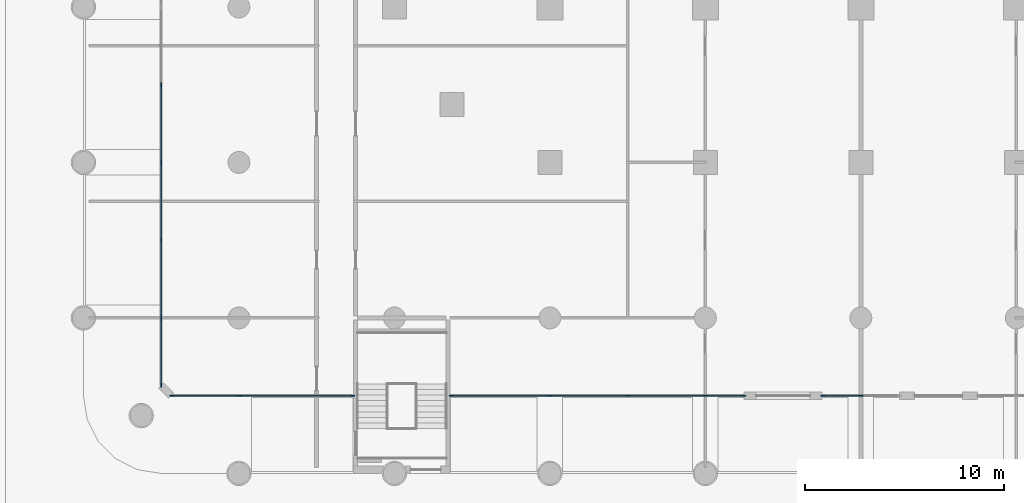
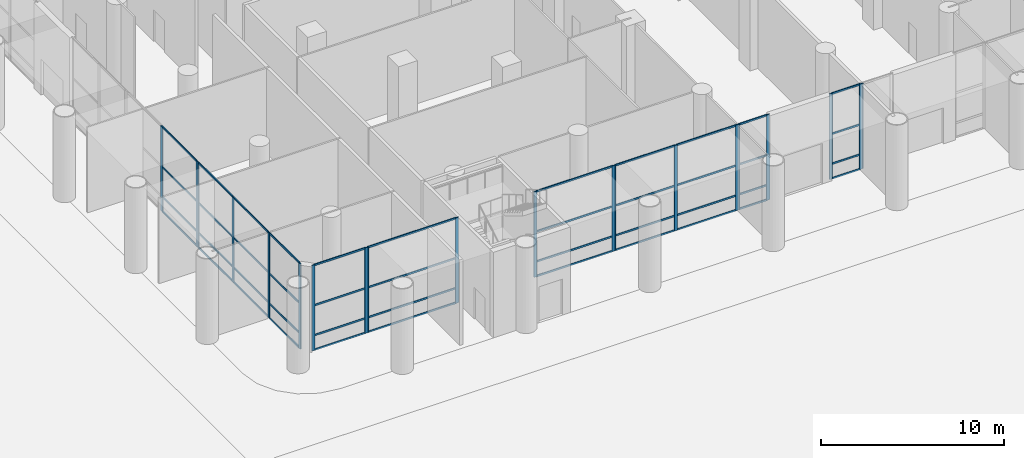
# One storey, part 2 of 32: 65 members, 10 elements without a shape of their own.
"""IFC4 building model written with IfcOpenShell, lengths in metres."""

from ifc_helpers import new_model, si_unit, direction, frame, origin, origin_2d, place, context, subcontext, project, spatial, rectangle, extrude, material, material_profile, profile_set, type_object, element, aggregate, save


model = new_model("IFC4")

# Units and contexts
model_context = context("Model", 3, precision=1e-05, world=origin(), true_north=direction((0.0, 1.0)))
body_context = subcontext(model_context, "Body", "Model", "MODEL_VIEW")
ifc_project = project(units=[si_unit("LENGTHUNIT", "METRE"), si_unit("AREAUNIT", "SQUARE_METRE"), si_unit("VOLUMEUNIT", "CUBIC_METRE"), si_unit("PLANEANGLEUNIT", "RADIAN"), si_unit("MASSUNIT", "GRAM", prefix="KILO")], contexts=[model_context])

# Site, building, storey
site_placement = place(None, origin())
site = spatial("IfcSite", under=ifc_project, at=site_placement, CompositionType="ELEMENT")
building_placement = place(site_placement, origin())
building = spatial("IfcBuilding", under=site, at=building_placement, Name="Ludao Terraces", CompositionType="ELEMENT")
storey_placement = place(building_placement, origin())
storey = spatial("IfcBuildingStorey", under=building, at=storey_placement, Name="L00", CompositionType="ELEMENT", Elevation=0.0)

# Curtain wall, members
ifc_material_1 = material(Name="Aluminium curtain wall with fritted glass", Category="aluminium")
curtain_wall_type = type_object("IfcCurtainWallType", Name="ENV CW2 entrance glazing", PredefinedType="NOTDEFINED", material=ifc_material_1)
curtain_wall_1_placement = place(storey_placement, origin())
curtain_wall_1 = element("IfcCurtainWall", 1, at=curtain_wall_1_placement, inside=storey, type_object=curtain_wall_type, Name="CW-L00-S1", PredefinedType="NOTDEFINED")
ifc_material_2 = material(Name="Aluminium 6063-T6", Category="aluminium")
ifc_material_profile_1 = material_profile(ifc_material_2, rectangle(XDim=0.06005859375, YDim=0.199951171875, at=origin_2d()), Name="60 X 200")
ifc_profile_set_1 = profile_set([ifc_material_profile_1], Name="Aluminium 6063-T6")
member_type_1 = type_object("IfcMemberType", Name="ENV CW2 mullion 60x200", PredefinedType="MULLION", material=ifc_profile_set_1)
member_1_placement = place(storey_placement, frame((50.429931640625, 29.89990234375, 0.0), z_axis=(0.0, 0.0, 1.0), x_axis=(0.0, 1.0, 0.0)))
member_1 = element("IfcMember", 2, at=member_1_placement, type_object=member_type_1, Name="CW2 mullion 1", PredefinedType="MULLION", context=body_context, shape_type="SweptSolid", body=[
    extrude(rectangle(XDim=0.06005859375, YDim=0.199951171875, at=origin_2d()), origin(), (0.0, 0.0, 1.0), 5.699951171875),
])
member_2_placement = place(storey_placement, frame((53.77001953125, 29.89990234375, 0.0), z_axis=(0.0, 0.0, 1.0), x_axis=(0.0, 1.0, 0.0)))
member_2 = element("IfcMember", 3, at=member_2_placement, type_object=member_type_1, Name="CW2 mullion 2", PredefinedType="MULLION", context=body_context, shape_type="SweptSolid", body=[
    extrude(rectangle(XDim=0.06005859375, YDim=0.199951171875, at=origin_2d()), origin(), (0.0, 0.0, 1.0), 5.699951171875),
])

curtain_wall_2_placement = place(storey_placement, origin())
curtain_wall_2 = element("IfcCurtainWall", 4, at=curtain_wall_2_placement, inside=storey, type_object=curtain_wall_type, Name="CW-L00-S2", PredefinedType="NOTDEFINED")
member_3_placement = place(storey_placement, frame((53.830078125, 29.89990234375, 0.0), z_axis=(0.0, 0.0, 1.0), x_axis=(0.0, 1.0, 0.0)))
member_3 = element("IfcMember", 5, at=member_3_placement, type_object=member_type_1, Name="CW2 mullion 1", PredefinedType="MULLION", context=body_context, shape_type="SweptSolid", body=[
    extrude(rectangle(XDim=0.06005859375, YDim=0.199951171875, at=origin_2d()), origin(), (0.0, 0.0, 1.0), 5.699951171875),
])
member_4_placement = place(storey_placement, frame((59.5, 29.89990234375, 0.0), z_axis=(0.0, 0.0, 1.0), x_axis=(0.0, 1.0, 0.0)))
member_4 = element("IfcMember", 6, at=member_4_placement, type_object=member_type_1, Name="CW2 mullion 2", PredefinedType="MULLION", context=body_context, shape_type="SweptSolid", body=[
    extrude(rectangle(XDim=0.06005859375, YDim=0.199951171875, at=origin_2d()), origin(), (0.0, 0.0, 1.0), 5.699951171875),
])

curtain_wall_3_placement = place(storey_placement, origin())
curtain_wall_3 = element("IfcCurtainWall", 7, at=curtain_wall_3_placement, inside=storey, type_object=curtain_wall_type, Name="CW-L00-S3", PredefinedType="NOTDEFINED")
member_5_placement = place(storey_placement, frame((64.449951171875, 29.89990234375, 0.0), z_axis=(0.0, 0.0, 1.0), x_axis=(0.0, 1.0, 0.0)))
member_5 = element("IfcMember", 8, at=member_5_placement, type_object=member_type_1, Name="CW2 mullion 1", PredefinedType="MULLION", context=body_context, shape_type="SweptSolid", body=[
    extrude(rectangle(XDim=0.06005859375, YDim=0.199951171875, at=origin_2d()), origin(), (0.0, 0.0, 1.0), 5.699951171875),
])
member_6_placement = place(storey_placement, frame((69.3701171875, 29.89990234375, 0.0), z_axis=(0.0, 0.0, 1.0), x_axis=(0.0, 1.0, 0.0)))
member_6 = element("IfcMember", 9, at=member_6_placement, type_object=member_type_1, Name="CW2 mullion 2", PredefinedType="MULLION", context=body_context, shape_type="SweptSolid", body=[
    extrude(rectangle(XDim=0.06005859375, YDim=0.199951171875, at=origin_2d()), origin(), (0.0, 0.0, 1.0), 5.699951171875),
])

curtain_wall_4_placement = place(storey_placement, origin())
curtain_wall_4 = element("IfcCurtainWall", 10, at=curtain_wall_4_placement, inside=storey, type_object=curtain_wall_type, Name="CW-L00-S4", PredefinedType="NOTDEFINED")
member_7_placement = place(storey_placement, frame((69.429931640625, 29.89990234375, 0.0), z_axis=(0.0, 0.0, 1.0), x_axis=(0.0, 1.0, 0.0)))
member_7 = element("IfcMember", 11, at=member_7_placement, type_object=member_type_1, Name="CW2 mullion 1", PredefinedType="MULLION", context=body_context, shape_type="SweptSolid", body=[
    extrude(rectangle(XDim=0.06005859375, YDim=0.199951171875, at=origin_2d()), origin(), (0.0, 0.0, 1.0), 5.699951171875),
])
member_8_placement = place(storey_placement, frame((73.300048828125, 29.89990234375, 0.0), z_axis=(0.0, 0.0, 1.0), x_axis=(0.0, 1.0, 0.0)))
member_8 = element("IfcMember", 12, at=member_8_placement, type_object=member_type_1, Name="CW2 mullion 2", PredefinedType="MULLION", context=body_context, shape_type="SweptSolid", body=[
    extrude(rectangle(XDim=0.06005859375, YDim=0.199951171875, at=origin_2d()), origin(), (0.0, 0.0, 1.0), 5.699951171875),
])
member_9_placement = place(storey_placement, frame((77.169921875, 29.89990234375, 0.0), z_axis=(0.0, 0.0, 1.0), x_axis=(0.0, 1.0, 0.0)))
member_9 = element("IfcMember", 13, at=member_9_placement, type_object=member_type_1, Name="CW2 mullion 3", PredefinedType="MULLION", context=body_context, shape_type="SweptSolid", body=[
    extrude(rectangle(XDim=0.06005859375, YDim=0.199951171875, at=origin_2d()), origin(), (0.0, 0.0, 1.0), 5.699951171875),
])

curtain_wall_5_placement = place(storey_placement, origin())
curtain_wall_5 = element("IfcCurtainWall", 14, at=curtain_wall_5_placement, inside=storey, type_object=curtain_wall_type, Name="CW-L00-S5", PredefinedType="NOTDEFINED")
member_10_placement = place(storey_placement, frame((77.22998046875, 29.89990234375, 0.0), z_axis=(0.0, 0.0, 1.0), x_axis=(0.0, 1.0, 0.0)))
member_10 = element("IfcMember", 15, at=member_10_placement, type_object=member_type_1, Name="CW2 mullion 1", PredefinedType="MULLION", context=body_context, shape_type="SweptSolid", body=[
    extrude(rectangle(XDim=0.06005859375, YDim=0.199951171875, at=origin_2d()), origin(), (0.0, 0.0, 1.0), 5.699951171875),
])
member_11_placement = place(storey_placement, frame((79.1201171875, 29.89990234375, 0.0), z_axis=(0.0, 0.0, 1.0), x_axis=(0.0, 1.0, 0.0)))
member_11 = element("IfcMember", 16, at=member_11_placement, type_object=member_type_1, Name="CW2 mullion 2", PredefinedType="MULLION", context=body_context, shape_type="SweptSolid", body=[
    extrude(rectangle(XDim=0.06005859375, YDim=0.199951171875, at=origin_2d()), origin(), (0.0, 0.0, 1.0), 5.699951171875),
])

curtain_wall_6_placement = place(storey_placement, origin())
curtain_wall_6 = element("IfcCurtainWall", 17, at=curtain_wall_6_placement, inside=storey, type_object=curtain_wall_type, Name="CW-L00-S7", PredefinedType="NOTDEFINED")
member_12_placement = place(storey_placement, frame((83.080078125, 29.89990234375, 0.0), z_axis=(0.0, 0.0, 1.0), x_axis=(0.0, 1.0, 0.0)))
member_12 = element("IfcMember", 18, at=member_12_placement, type_object=member_type_1, Name="CW2 mullion 1", PredefinedType="MULLION", context=body_context, shape_type="SweptSolid", body=[
    extrude(rectangle(XDim=0.06005859375, YDim=0.199951171875, at=origin_2d()), origin(), (0.0, 0.0, 1.0), 5.699951171875),
])
member_13_placement = place(storey_placement, frame((84.969970703125, 29.89990234375, 0.0), z_axis=(0.0, 0.0, 1.0), x_axis=(0.0, 1.0, 0.0)))
member_13 = element("IfcMember", 19, at=member_13_placement, type_object=member_type_1, Name="CW2 mullion 2", PredefinedType="MULLION", context=body_context, shape_type="SweptSolid", body=[
    extrude(rectangle(XDim=0.06005859375, YDim=0.199951171875, at=origin_2d()), origin(), (0.0, 0.0, 1.0), 5.699951171875),
])

# Curtain wall, member
curtain_wall_7_placement = place(storey_placement, origin())
curtain_wall_7 = element("IfcCurtainWall", 20, at=curtain_wall_7_placement, inside=storey, type_object=curtain_wall_type, Name="CW-L00-S8", PredefinedType="NOTDEFINED")
member_14_placement = place(storey_placement, frame((85.030029296875, 29.89990234375, 0.0), z_axis=(0.0, 0.0, 1.0), x_axis=(0.0, 1.0, 0.0)))
member_14 = element("IfcMember", 21, at=member_14_placement, type_object=member_type_1, Name="CW2 mullion 1", PredefinedType="MULLION", context=body_context, shape_type="SweptSolid", body=[
    extrude(rectangle(XDim=0.06005859375, YDim=0.199951171875, at=origin_2d()), origin(), (0.0, 0.0, 1.0), 5.699951171875),
])
aggregate(curtain_wall_7, [member_14])

# Curtain wall, members
curtain_wall_8_placement = place(storey_placement, origin())
curtain_wall_8 = element("IfcCurtainWall", 22, at=curtain_wall_8_placement, inside=storey, type_object=curtain_wall_type, Name="CW-L00-W1", PredefinedType="NOTDEFINED")
member_15_placement = place(storey_placement, frame((49.89990234375, 30.429931640625, 0.0), z_axis=(0.0, 0.0, 1.0), x_axis=(-1.0, 0.0, 0.0)))
member_15 = element("IfcMember", 23, at=member_15_placement, type_object=member_type_1, Name="CW2 mullion 1", PredefinedType="MULLION", context=body_context, shape_type="SweptSolid", body=[
    extrude(rectangle(XDim=0.06005859375, YDim=0.199951171875, at=origin_2d()), origin(), (0.0, 0.0, 1.0), 5.699951171875),
])
member_16_placement = place(storey_placement, frame((49.89990234375, 33.77001953125, 0.0), z_axis=(0.0, 0.0, 1.0), x_axis=(-1.0, 0.0, 0.0)))
member_16 = element("IfcMember", 24, at=member_16_placement, type_object=member_type_1, Name="CW2 mullion 2", PredefinedType="MULLION", context=body_context, shape_type="SweptSolid", body=[
    extrude(rectangle(XDim=0.06005859375, YDim=0.199951171875, at=origin_2d()), origin(), (0.0, 0.0, 1.0), 5.699951171875),
])

curtain_wall_9_placement = place(storey_placement, origin())
curtain_wall_9 = element("IfcCurtainWall", 25, at=curtain_wall_9_placement, inside=storey, type_object=curtain_wall_type, Name="CW-L00-W2", PredefinedType="NOTDEFINED")
member_17_placement = place(storey_placement, frame((49.89990234375, 33.830078125, 0.0), z_axis=(0.0, 0.0, 1.0), x_axis=(-1.0, 0.0, 0.0)))
member_17 = element("IfcMember", 26, at=member_17_placement, type_object=member_type_1, Name="CW2 mullion 1", PredefinedType="MULLION", context=body_context, shape_type="SweptSolid", body=[
    extrude(rectangle(XDim=0.06005859375, YDim=0.199951171875, at=origin_2d()), origin(), (0.0, 0.0, 1.0), 5.699951171875),
])
member_18_placement = place(storey_placement, frame((49.89990234375, 37.699951171875, 0.0), z_axis=(0.0, 0.0, 1.0), x_axis=(-1.0, 0.0, 0.0)))
member_18 = element("IfcMember", 27, at=member_18_placement, type_object=member_type_1, Name="CW2 mullion 2", PredefinedType="MULLION", context=body_context, shape_type="SweptSolid", body=[
    extrude(rectangle(XDim=0.06005859375, YDim=0.199951171875, at=origin_2d()), origin(), (0.0, 0.0, 1.0), 5.699951171875),
])
member_19_placement = place(storey_placement, frame((49.89990234375, 41.570068359375, 0.0), z_axis=(0.0, 0.0, 1.0), x_axis=(-1.0, 0.0, 0.0)))
member_19 = element("IfcMember", 28, at=member_19_placement, type_object=member_type_1, Name="CW2 mullion 3", PredefinedType="MULLION", context=body_context, shape_type="SweptSolid", body=[
    extrude(rectangle(XDim=0.06005859375, YDim=0.199951171875, at=origin_2d()), origin(), (0.0, 0.0, 1.0), 5.699951171875),
])

curtain_wall_10_placement = place(storey_placement, origin())
curtain_wall_10 = element("IfcCurtainWall", 29, at=curtain_wall_10_placement, inside=storey, type_object=curtain_wall_type, Name="CW-L00-W3", PredefinedType="NOTDEFINED")
member_20_placement = place(storey_placement, frame((49.89990234375, 41.6298828125, 0.0), z_axis=(0.0, 0.0, 1.0), x_axis=(-1.0, 0.0, 0.0)))
member_20 = element("IfcMember", 30, at=member_20_placement, type_object=member_type_1, Name="CW2 mullion 1", PredefinedType="MULLION", context=body_context, shape_type="SweptSolid", body=[
    extrude(rectangle(XDim=0.06005859375, YDim=0.199951171875, at=origin_2d()), origin(), (0.0, 0.0, 1.0), 5.699951171875),
])
member_21_placement = place(storey_placement, frame((49.89990234375, 45.5, 0.0), z_axis=(0.0, 0.0, 1.0), x_axis=(-1.0, 0.0, 0.0)))
member_21 = element("IfcMember", 31, at=member_21_placement, type_object=member_type_1, Name="CW2 mullion 2", PredefinedType="MULLION", context=body_context, shape_type="SweptSolid", body=[
    extrude(rectangle(XDim=0.06005859375, YDim=0.199951171875, at=origin_2d()), origin(), (0.0, 0.0, 1.0), 5.699951171875),
])

# Member
ifc_material_profile_2 = material_profile(ifc_material_2, rectangle(XDim=0.06005859375, YDim=0.1201171875, at=origin_2d()), Name="60 X 120")
ifc_profile_set_2 = profile_set([ifc_material_profile_2], Name="Aluminium 6063-T6")
member_type_2 = type_object("IfcMemberType", Name="ENV CW2 transom 60x120", PredefinedType="USERDEFINED", material=ifc_profile_set_2)
member_22_placement = place(storey_placement, frame((50.4599609375, 29.89990234375, 0.030029296875), z_axis=(1.0, 0.0, 0.0), x_axis=(0.0, 1.0, 0.0)))
member_22 = element("IfcMember", 32, at=member_22_placement, type_object=member_type_2, Name="CW2 transom 1.1", ObjectType="TRANSOM", PredefinedType="USERDEFINED", context=body_context, shape_type="SweptSolid", body=[
    extrude(rectangle(XDim=0.06005859375, YDim=0.1201171875, at=origin_2d()), origin(), (0.0, 0.0, 1.0), 3.280029296875),
])

member_23_placement = place(storey_placement, frame((50.4599609375, 29.89990234375, 1.0), z_axis=(1.0, 0.0, 0.0), x_axis=(0.0, 1.0, 0.0)))
member_23 = element("IfcMember", 33, at=member_23_placement, type_object=member_type_2, Name="CW2 transom 1.2", ObjectType="TRANSOM", PredefinedType="USERDEFINED", context=body_context, shape_type="SweptSolid", body=[
    extrude(rectangle(XDim=0.06005859375, YDim=0.1201171875, at=origin_2d()), origin(), (0.0, 0.0, 1.0), 3.280029296875),
])

member_24_placement = place(storey_placement, frame((50.4599609375, 29.89990234375, 3.0), z_axis=(1.0, 0.0, 0.0), x_axis=(0.0, 1.0, 0.0)))
member_24 = element("IfcMember", 34, at=member_24_placement, type_object=member_type_2, Name="CW2 transom 1.3", ObjectType="TRANSOM", PredefinedType="USERDEFINED", context=body_context, shape_type="SweptSolid", body=[
    extrude(rectangle(XDim=0.06005859375, YDim=0.1201171875, at=origin_2d()), origin(), (0.0, 0.0, 1.0), 3.280029296875),
])

member_25_placement = place(storey_placement, frame((50.4599609375, 29.89990234375, 5.669921875), z_axis=(1.0, 0.0, 0.0), x_axis=(0.0, 1.0, 0.0)))
member_25 = element("IfcMember", 35, at=member_25_placement, type_object=member_type_2, Name="CW2 transom 1.4", ObjectType="TRANSOM", PredefinedType="USERDEFINED", context=body_context, shape_type="SweptSolid", body=[
    extrude(rectangle(XDim=0.06005859375, YDim=0.1201171875, at=origin_2d()), origin(), (0.0, 0.0, 1.0), 3.280029296875),
])

aggregate(curtain_wall_1, [member_1, member_2, member_22, member_23, member_24, member_25])

member_26_placement = place(storey_placement, frame((53.860107421875, 29.89990234375, 0.030029296875), z_axis=(1.0, 0.0, 0.0), x_axis=(0.0, 1.0, 0.0)))
member_26 = element("IfcMember", 36, at=member_26_placement, type_object=member_type_2, Name="CW2 transom 1.1", ObjectType="TRANSOM", PredefinedType="USERDEFINED", context=body_context, shape_type="SweptSolid", body=[
    extrude(rectangle(XDim=0.06005859375, YDim=0.1201171875, at=origin_2d()), origin(), (0.0, 0.0, 1.0), 5.60986328125),
])

member_27_placement = place(storey_placement, frame((53.860107421875, 29.89990234375, 1.0), z_axis=(1.0, 0.0, 0.0), x_axis=(0.0, 1.0, 0.0)))
member_27 = element("IfcMember", 37, at=member_27_placement, type_object=member_type_2, Name="CW2 transom 1.2", ObjectType="TRANSOM", PredefinedType="USERDEFINED", context=body_context, shape_type="SweptSolid", body=[
    extrude(rectangle(XDim=0.06005859375, YDim=0.1201171875, at=origin_2d()), origin(), (0.0, 0.0, 1.0), 5.60986328125),
])

member_28_placement = place(storey_placement, frame((53.860107421875, 29.89990234375, 3.0), z_axis=(1.0, 0.0, 0.0), x_axis=(0.0, 1.0, 0.0)))
member_28 = element("IfcMember", 38, at=member_28_placement, type_object=member_type_2, Name="CW2 transom 1.3", ObjectType="TRANSOM", PredefinedType="USERDEFINED", context=body_context, shape_type="SweptSolid", body=[
    extrude(rectangle(XDim=0.06005859375, YDim=0.1201171875, at=origin_2d()), origin(), (0.0, 0.0, 1.0), 5.60986328125),
])

member_29_placement = place(storey_placement, frame((53.860107421875, 29.89990234375, 5.669921875), z_axis=(1.0, 0.0, 0.0), x_axis=(0.0, 1.0, 0.0)))
member_29 = element("IfcMember", 39, at=member_29_placement, type_object=member_type_2, Name="CW2 transom 1.4", ObjectType="TRANSOM", PredefinedType="USERDEFINED", context=body_context, shape_type="SweptSolid", body=[
    extrude(rectangle(XDim=0.06005859375, YDim=0.1201171875, at=origin_2d()), origin(), (0.0, 0.0, 1.0), 5.60986328125),
])

aggregate(curtain_wall_2, [member_3, member_4, member_26, member_27, member_28, member_29])

member_30_placement = place(storey_placement, frame((64.47998046875, 29.89990234375, 0.030029296875), z_axis=(1.0, 0.0, 0.0), x_axis=(0.0, 1.0, 0.0)))
member_30 = element("IfcMember", 40, at=member_30_placement, type_object=member_type_2, Name="CW2 transom 1.1", ObjectType="TRANSOM", PredefinedType="USERDEFINED", context=body_context, shape_type="SweptSolid", body=[
    extrude(rectangle(XDim=0.06005859375, YDim=0.1201171875, at=origin_2d()), origin(), (0.0, 0.0, 1.0), 4.860107421875),
])

member_31_placement = place(storey_placement, frame((64.47998046875, 29.89990234375, 1.0), z_axis=(1.0, 0.0, 0.0), x_axis=(0.0, 1.0, 0.0)))
member_31 = element("IfcMember", 41, at=member_31_placement, type_object=member_type_2, Name="CW2 transom 1.2", ObjectType="TRANSOM", PredefinedType="USERDEFINED", context=body_context, shape_type="SweptSolid", body=[
    extrude(rectangle(XDim=0.06005859375, YDim=0.1201171875, at=origin_2d()), origin(), (0.0, 0.0, 1.0), 4.860107421875),
])

member_32_placement = place(storey_placement, frame((64.47998046875, 29.89990234375, 3.0), z_axis=(1.0, 0.0, 0.0), x_axis=(0.0, 1.0, 0.0)))
member_32 = element("IfcMember", 42, at=member_32_placement, type_object=member_type_2, Name="CW2 transom 1.3", ObjectType="TRANSOM", PredefinedType="USERDEFINED", context=body_context, shape_type="SweptSolid", body=[
    extrude(rectangle(XDim=0.06005859375, YDim=0.1201171875, at=origin_2d()), origin(), (0.0, 0.0, 1.0), 4.860107421875),
])

member_33_placement = place(storey_placement, frame((64.47998046875, 29.89990234375, 5.669921875), z_axis=(1.0, 0.0, 0.0), x_axis=(0.0, 1.0, 0.0)))
member_33 = element("IfcMember", 43, at=member_33_placement, type_object=member_type_2, Name="CW2 transom 1.4", ObjectType="TRANSOM", PredefinedType="USERDEFINED", context=body_context, shape_type="SweptSolid", body=[
    extrude(rectangle(XDim=0.06005859375, YDim=0.1201171875, at=origin_2d()), origin(), (0.0, 0.0, 1.0), 4.860107421875),
])

aggregate(curtain_wall_3, [member_5, member_6, member_30, member_31, member_32, member_33])

member_34_placement = place(storey_placement, frame((69.4599609375, 29.89990234375, 0.030029296875), z_axis=(1.0, 0.0, 0.0), x_axis=(0.0, 1.0, 0.0)))
member_34 = element("IfcMember", 44, at=member_34_placement, type_object=member_type_2, Name="CW2 transom 1.1", ObjectType="TRANSOM", PredefinedType="USERDEFINED", context=body_context, shape_type="SweptSolid", body=[
    extrude(rectangle(XDim=0.06005859375, YDim=0.1201171875, at=origin_2d()), origin(), (0.0, 0.0, 1.0), 3.81005859375),
])

member_35_placement = place(storey_placement, frame((69.4599609375, 29.89990234375, 1.0), z_axis=(1.0, 0.0, 0.0), x_axis=(0.0, 1.0, 0.0)))
member_35 = element("IfcMember", 45, at=member_35_placement, type_object=member_type_2, Name="CW2 transom 1.2", ObjectType="TRANSOM", PredefinedType="USERDEFINED", context=body_context, shape_type="SweptSolid", body=[
    extrude(rectangle(XDim=0.06005859375, YDim=0.1201171875, at=origin_2d()), origin(), (0.0, 0.0, 1.0), 3.81005859375),
])

member_36_placement = place(storey_placement, frame((69.4599609375, 29.89990234375, 3.0), z_axis=(1.0, 0.0, 0.0), x_axis=(0.0, 1.0, 0.0)))
member_36 = element("IfcMember", 46, at=member_36_placement, type_object=member_type_2, Name="CW2 transom 1.3", ObjectType="TRANSOM", PredefinedType="USERDEFINED", context=body_context, shape_type="SweptSolid", body=[
    extrude(rectangle(XDim=0.06005859375, YDim=0.1201171875, at=origin_2d()), origin(), (0.0, 0.0, 1.0), 3.81005859375),
])

member_37_placement = place(storey_placement, frame((69.4599609375, 29.89990234375, 5.669921875), z_axis=(1.0, 0.0, 0.0), x_axis=(0.0, 1.0, 0.0)))
member_37 = element("IfcMember", 47, at=member_37_placement, type_object=member_type_2, Name="CW2 transom 1.4", ObjectType="TRANSOM", PredefinedType="USERDEFINED", context=body_context, shape_type="SweptSolid", body=[
    extrude(rectangle(XDim=0.06005859375, YDim=0.1201171875, at=origin_2d()), origin(), (0.0, 0.0, 1.0), 3.81005859375),
])

member_38_placement = place(storey_placement, frame((73.330078125, 29.89990234375, 0.030029296875), z_axis=(1.0, 0.0, 0.0), x_axis=(0.0, 1.0, 0.0)))
member_38 = element("IfcMember", 48, at=member_38_placement, type_object=member_type_2, Name="CW2 transom 2.1", ObjectType="TRANSOM", PredefinedType="USERDEFINED", context=body_context, shape_type="SweptSolid", body=[
    extrude(rectangle(XDim=0.06005859375, YDim=0.1201171875, at=origin_2d()), origin(), (0.0, 0.0, 1.0), 3.809814453125),
])

member_39_placement = place(storey_placement, frame((73.330078125, 29.89990234375, 1.0), z_axis=(1.0, 0.0, 0.0), x_axis=(0.0, 1.0, 0.0)))
member_39 = element("IfcMember", 49, at=member_39_placement, type_object=member_type_2, Name="CW2 transom 2.2", ObjectType="TRANSOM", PredefinedType="USERDEFINED", context=body_context, shape_type="SweptSolid", body=[
    extrude(rectangle(XDim=0.06005859375, YDim=0.1201171875, at=origin_2d()), origin(), (0.0, 0.0, 1.0), 3.809814453125),
])

member_40_placement = place(storey_placement, frame((73.330078125, 29.89990234375, 3.0), z_axis=(1.0, 0.0, 0.0), x_axis=(0.0, 1.0, 0.0)))
member_40 = element("IfcMember", 50, at=member_40_placement, type_object=member_type_2, Name="CW2 transom 2.3", ObjectType="TRANSOM", PredefinedType="USERDEFINED", context=body_context, shape_type="SweptSolid", body=[
    extrude(rectangle(XDim=0.06005859375, YDim=0.1201171875, at=origin_2d()), origin(), (0.0, 0.0, 1.0), 3.809814453125),
])

member_41_placement = place(storey_placement, frame((73.330078125, 29.89990234375, 5.669921875), z_axis=(1.0, 0.0, 0.0), x_axis=(0.0, 1.0, 0.0)))
member_41 = element("IfcMember", 51, at=member_41_placement, type_object=member_type_2, Name="CW2 transom 2.4", ObjectType="TRANSOM", PredefinedType="USERDEFINED", context=body_context, shape_type="SweptSolid", body=[
    extrude(rectangle(XDim=0.06005859375, YDim=0.1201171875, at=origin_2d()), origin(), (0.0, 0.0, 1.0), 3.809814453125),
])

aggregate(curtain_wall_4, [member_7, member_8, member_9, member_34, member_35, member_36, member_37, member_38, member_39, member_40, member_41])

member_42_placement = place(storey_placement, frame((77.260009765625, 29.89990234375, 0.030029296875), z_axis=(1.0, 0.0, 0.0), x_axis=(0.0, 1.0, 0.0)))
member_42 = element("IfcMember", 52, at=member_42_placement, type_object=member_type_2, Name="CW2 transom 1.1", ObjectType="TRANSOM", PredefinedType="USERDEFINED", context=body_context, shape_type="SweptSolid", body=[
    extrude(rectangle(XDim=0.06005859375, YDim=0.1201171875, at=origin_2d()), origin(), (0.0, 0.0, 1.0), 1.830078125),
])

member_43_placement = place(storey_placement, frame((77.260009765625, 29.89990234375, 1.0), z_axis=(1.0, 0.0, 0.0), x_axis=(0.0, 1.0, 0.0)))
member_43 = element("IfcMember", 53, at=member_43_placement, type_object=member_type_2, Name="CW2 transom 1.2", ObjectType="TRANSOM", PredefinedType="USERDEFINED", context=body_context, shape_type="SweptSolid", body=[
    extrude(rectangle(XDim=0.06005859375, YDim=0.1201171875, at=origin_2d()), origin(), (0.0, 0.0, 1.0), 1.830078125),
])

member_44_placement = place(storey_placement, frame((77.260009765625, 29.89990234375, 3.0), z_axis=(1.0, 0.0, 0.0), x_axis=(0.0, 1.0, 0.0)))
member_44 = element("IfcMember", 54, at=member_44_placement, type_object=member_type_2, Name="CW2 transom 1.3", ObjectType="TRANSOM", PredefinedType="USERDEFINED", context=body_context, shape_type="SweptSolid", body=[
    extrude(rectangle(XDim=0.06005859375, YDim=0.1201171875, at=origin_2d()), origin(), (0.0, 0.0, 1.0), 1.830078125),
])

member_45_placement = place(storey_placement, frame((77.260009765625, 29.89990234375, 5.669921875), z_axis=(1.0, 0.0, 0.0), x_axis=(0.0, 1.0, 0.0)))
member_45 = element("IfcMember", 55, at=member_45_placement, type_object=member_type_2, Name="CW2 transom 1.4", ObjectType="TRANSOM", PredefinedType="USERDEFINED", context=body_context, shape_type="SweptSolid", body=[
    extrude(rectangle(XDim=0.06005859375, YDim=0.1201171875, at=origin_2d()), origin(), (0.0, 0.0, 1.0), 1.830078125),
])

aggregate(curtain_wall_5, [member_10, member_11, member_42, member_43, member_44, member_45])

member_46_placement = place(storey_placement, frame((83.110107421875, 29.89990234375, 0.030029296875), z_axis=(1.0, 0.0, 0.0), x_axis=(0.0, 1.0, 0.0)))
member_46 = element("IfcMember", 56, at=member_46_placement, type_object=member_type_2, Name="CW2 transom 1.1", ObjectType="TRANSOM", PredefinedType="USERDEFINED", context=body_context, shape_type="SweptSolid", body=[
    extrude(rectangle(XDim=0.06005859375, YDim=0.1201171875, at=origin_2d()), origin(), (0.0, 0.0, 1.0), 1.829833984375),
])

member_47_placement = place(storey_placement, frame((83.110107421875, 29.89990234375, 1.0), z_axis=(1.0, 0.0, 0.0), x_axis=(0.0, 1.0, 0.0)))
member_47 = element("IfcMember", 57, at=member_47_placement, type_object=member_type_2, Name="CW2 transom 1.2", ObjectType="TRANSOM", PredefinedType="USERDEFINED", context=body_context, shape_type="SweptSolid", body=[
    extrude(rectangle(XDim=0.06005859375, YDim=0.1201171875, at=origin_2d()), origin(), (0.0, 0.0, 1.0), 1.829833984375),
])

member_48_placement = place(storey_placement, frame((83.110107421875, 29.89990234375, 3.0), z_axis=(1.0, 0.0, 0.0), x_axis=(0.0, 1.0, 0.0)))
member_48 = element("IfcMember", 58, at=member_48_placement, type_object=member_type_2, Name="CW2 transom 1.3", ObjectType="TRANSOM", PredefinedType="USERDEFINED", context=body_context, shape_type="SweptSolid", body=[
    extrude(rectangle(XDim=0.06005859375, YDim=0.1201171875, at=origin_2d()), origin(), (0.0, 0.0, 1.0), 1.829833984375),
])

member_49_placement = place(storey_placement, frame((83.110107421875, 29.89990234375, 5.669921875), z_axis=(1.0, 0.0, 0.0), x_axis=(0.0, 1.0, 0.0)))
member_49 = element("IfcMember", 59, at=member_49_placement, type_object=member_type_2, Name="CW2 transom 1.4", ObjectType="TRANSOM", PredefinedType="USERDEFINED", context=body_context, shape_type="SweptSolid", body=[
    extrude(rectangle(XDim=0.06005859375, YDim=0.1201171875, at=origin_2d()), origin(), (0.0, 0.0, 1.0), 1.829833984375),
])

aggregate(curtain_wall_6, [member_12, member_13, member_46, member_47, member_48, member_49])

member_50_placement = place(storey_placement, frame((49.89990234375, 30.4599609375, 0.030029296875), z_axis=(0.0, 1.0, 0.0), x_axis=(-1.0, 0.0, 0.0)))
member_50 = element("IfcMember", 60, at=member_50_placement, type_object=member_type_2, Name="CW2 transom 1.1", ObjectType="TRANSOM", PredefinedType="USERDEFINED", context=body_context, shape_type="SweptSolid", body=[
    extrude(rectangle(XDim=0.06005859375, YDim=0.1201171875, at=origin_2d()), origin(), (0.0, 0.0, 1.0), 3.280029296875),
])

member_51_placement = place(storey_placement, frame((49.89990234375, 30.4599609375, 1.0), z_axis=(0.0, 1.0, 0.0), x_axis=(-1.0, 0.0, 0.0)))
member_51 = element("IfcMember", 61, at=member_51_placement, type_object=member_type_2, Name="CW2 transom 1.2", ObjectType="TRANSOM", PredefinedType="USERDEFINED", context=body_context, shape_type="SweptSolid", body=[
    extrude(rectangle(XDim=0.06005859375, YDim=0.1201171875, at=origin_2d()), origin(), (0.0, 0.0, 1.0), 3.280029296875),
])

member_52_placement = place(storey_placement, frame((49.89990234375, 30.4599609375, 3.0), z_axis=(0.0, 1.0, 0.0), x_axis=(-1.0, 0.0, 0.0)))
member_52 = element("IfcMember", 62, at=member_52_placement, type_object=member_type_2, Name="CW2 transom 1.3", ObjectType="TRANSOM", PredefinedType="USERDEFINED", context=body_context, shape_type="SweptSolid", body=[
    extrude(rectangle(XDim=0.06005859375, YDim=0.1201171875, at=origin_2d()), origin(), (0.0, 0.0, 1.0), 3.280029296875),
])

member_53_placement = place(storey_placement, frame((49.89990234375, 30.4599609375, 5.669921875), z_axis=(0.0, 1.0, 0.0), x_axis=(-1.0, 0.0, 0.0)))
member_53 = element("IfcMember", 63, at=member_53_placement, type_object=member_type_2, Name="CW2 transom 1.4", ObjectType="TRANSOM", PredefinedType="USERDEFINED", context=body_context, shape_type="SweptSolid", body=[
    extrude(rectangle(XDim=0.06005859375, YDim=0.1201171875, at=origin_2d()), origin(), (0.0, 0.0, 1.0), 3.280029296875),
])

aggregate(curtain_wall_8, [member_15, member_16, member_50, member_51, member_52, member_53])

member_54_placement = place(storey_placement, frame((49.89990234375, 33.860107421875, 0.030029296875), z_axis=(0.0, 1.0, 0.0), x_axis=(-1.0, 0.0, 0.0)))
member_54 = element("IfcMember", 64, at=member_54_placement, type_object=member_type_2, Name="CW2 transom 1.1", ObjectType="TRANSOM", PredefinedType="USERDEFINED", context=body_context, shape_type="SweptSolid", body=[
    extrude(rectangle(XDim=0.06005859375, YDim=0.1201171875, at=origin_2d()), origin(), (0.0, 0.0, 1.0), 3.809814453125),
])

member_55_placement = place(storey_placement, frame((49.89990234375, 33.860107421875, 1.0), z_axis=(0.0, 1.0, 0.0), x_axis=(-1.0, 0.0, 0.0)))
member_55 = element("IfcMember", 65, at=member_55_placement, type_object=member_type_2, Name="CW2 transom 1.2", ObjectType="TRANSOM", PredefinedType="USERDEFINED", context=body_context, shape_type="SweptSolid", body=[
    extrude(rectangle(XDim=0.06005859375, YDim=0.1201171875, at=origin_2d()), origin(), (0.0, 0.0, 1.0), 3.809814453125),
])

member_56_placement = place(storey_placement, frame((49.89990234375, 33.860107421875, 3.0), z_axis=(0.0, 1.0, 0.0), x_axis=(-1.0, 0.0, 0.0)))
member_56 = element("IfcMember", 66, at=member_56_placement, type_object=member_type_2, Name="CW2 transom 1.3", ObjectType="TRANSOM", PredefinedType="USERDEFINED", context=body_context, shape_type="SweptSolid", body=[
    extrude(rectangle(XDim=0.06005859375, YDim=0.1201171875, at=origin_2d()), origin(), (0.0, 0.0, 1.0), 3.809814453125),
])

member_57_placement = place(storey_placement, frame((49.89990234375, 33.860107421875, 5.669921875), z_axis=(0.0, 1.0, 0.0), x_axis=(-1.0, 0.0, 0.0)))
member_57 = element("IfcMember", 67, at=member_57_placement, type_object=member_type_2, Name="CW2 transom 1.4", ObjectType="TRANSOM", PredefinedType="USERDEFINED", context=body_context, shape_type="SweptSolid", body=[
    extrude(rectangle(XDim=0.06005859375, YDim=0.1201171875, at=origin_2d()), origin(), (0.0, 0.0, 1.0), 3.809814453125),
])

member_58_placement = place(storey_placement, frame((49.89990234375, 37.72998046875, 0.030029296875), z_axis=(0.0, 1.0, 0.0), x_axis=(-1.0, 0.0, 0.0)))
member_58 = element("IfcMember", 68, at=member_58_placement, type_object=member_type_2, Name="CW2 transom 2.1", ObjectType="TRANSOM", PredefinedType="USERDEFINED", context=body_context, shape_type="SweptSolid", body=[
    extrude(rectangle(XDim=0.06005859375, YDim=0.1201171875, at=origin_2d()), origin(), (0.0, 0.0, 1.0), 3.81005859375),
])

member_59_placement = place(storey_placement, frame((49.89990234375, 37.72998046875, 1.0), z_axis=(0.0, 1.0, 0.0), x_axis=(-1.0, 0.0, 0.0)))
member_59 = element("IfcMember", 69, at=member_59_placement, type_object=member_type_2, Name="CW2 transom 2.2", ObjectType="TRANSOM", PredefinedType="USERDEFINED", context=body_context, shape_type="SweptSolid", body=[
    extrude(rectangle(XDim=0.06005859375, YDim=0.1201171875, at=origin_2d()), origin(), (0.0, 0.0, 1.0), 3.81005859375),
])

member_60_placement = place(storey_placement, frame((49.89990234375, 37.72998046875, 3.0), z_axis=(0.0, 1.0, 0.0), x_axis=(-1.0, 0.0, 0.0)))
member_60 = element("IfcMember", 70, at=member_60_placement, type_object=member_type_2, Name="CW2 transom 2.3", ObjectType="TRANSOM", PredefinedType="USERDEFINED", context=body_context, shape_type="SweptSolid", body=[
    extrude(rectangle(XDim=0.06005859375, YDim=0.1201171875, at=origin_2d()), origin(), (0.0, 0.0, 1.0), 3.81005859375),
])

member_61_placement = place(storey_placement, frame((49.89990234375, 37.72998046875, 5.669921875), z_axis=(0.0, 1.0, 0.0), x_axis=(-1.0, 0.0, 0.0)))
member_61 = element("IfcMember", 71, at=member_61_placement, type_object=member_type_2, Name="CW2 transom 2.4", ObjectType="TRANSOM", PredefinedType="USERDEFINED", context=body_context, shape_type="SweptSolid", body=[
    extrude(rectangle(XDim=0.06005859375, YDim=0.1201171875, at=origin_2d()), origin(), (0.0, 0.0, 1.0), 3.81005859375),
])

aggregate(curtain_wall_9, [member_17, member_18, member_19, member_54, member_55, member_56, member_57, member_58, member_59, member_60, member_61])

member_62_placement = place(storey_placement, frame((49.89990234375, 41.659912109375, 0.030029296875), z_axis=(0.0, 1.0, 0.0), x_axis=(-1.0, 0.0, 0.0)))
member_62 = element("IfcMember", 72, at=member_62_placement, type_object=member_type_2, Name="CW2 transom 1.1", ObjectType="TRANSOM", PredefinedType="USERDEFINED", context=body_context, shape_type="SweptSolid", body=[
    extrude(rectangle(XDim=0.06005859375, YDim=0.1201171875, at=origin_2d()), origin(), (0.0, 0.0, 1.0), 3.81005859375),
])

member_63_placement = place(storey_placement, frame((49.89990234375, 41.659912109375, 1.0), z_axis=(0.0, 1.0, 0.0), x_axis=(-1.0, 0.0, 0.0)))
member_63 = element("IfcMember", 73, at=member_63_placement, type_object=member_type_2, Name="CW2 transom 1.2", ObjectType="TRANSOM", PredefinedType="USERDEFINED", context=body_context, shape_type="SweptSolid", body=[
    extrude(rectangle(XDim=0.06005859375, YDim=0.1201171875, at=origin_2d()), origin(), (0.0, 0.0, 1.0), 3.81005859375),
])

member_64_placement = place(storey_placement, frame((49.89990234375, 41.659912109375, 3.0), z_axis=(0.0, 1.0, 0.0), x_axis=(-1.0, 0.0, 0.0)))
member_64 = element("IfcMember", 74, at=member_64_placement, type_object=member_type_2, Name="CW2 transom 1.3", ObjectType="TRANSOM", PredefinedType="USERDEFINED", context=body_context, shape_type="SweptSolid", body=[
    extrude(rectangle(XDim=0.06005859375, YDim=0.1201171875, at=origin_2d()), origin(), (0.0, 0.0, 1.0), 3.81005859375),
])

member_65_placement = place(storey_placement, frame((49.89990234375, 41.659912109375, 5.669921875), z_axis=(0.0, 1.0, 0.0), x_axis=(-1.0, 0.0, 0.0)))
member_65 = element("IfcMember", 75, at=member_65_placement, type_object=member_type_2, Name="CW2 transom 1.4", ObjectType="TRANSOM", PredefinedType="USERDEFINED", context=body_context, shape_type="SweptSolid", body=[
    extrude(rectangle(XDim=0.06005859375, YDim=0.1201171875, at=origin_2d()), origin(), (0.0, 0.0, 1.0), 3.81005859375),
])

aggregate(curtain_wall_10, [member_20, member_21, member_62, member_63, member_64, member_65])

save(model, "model.ifc")
